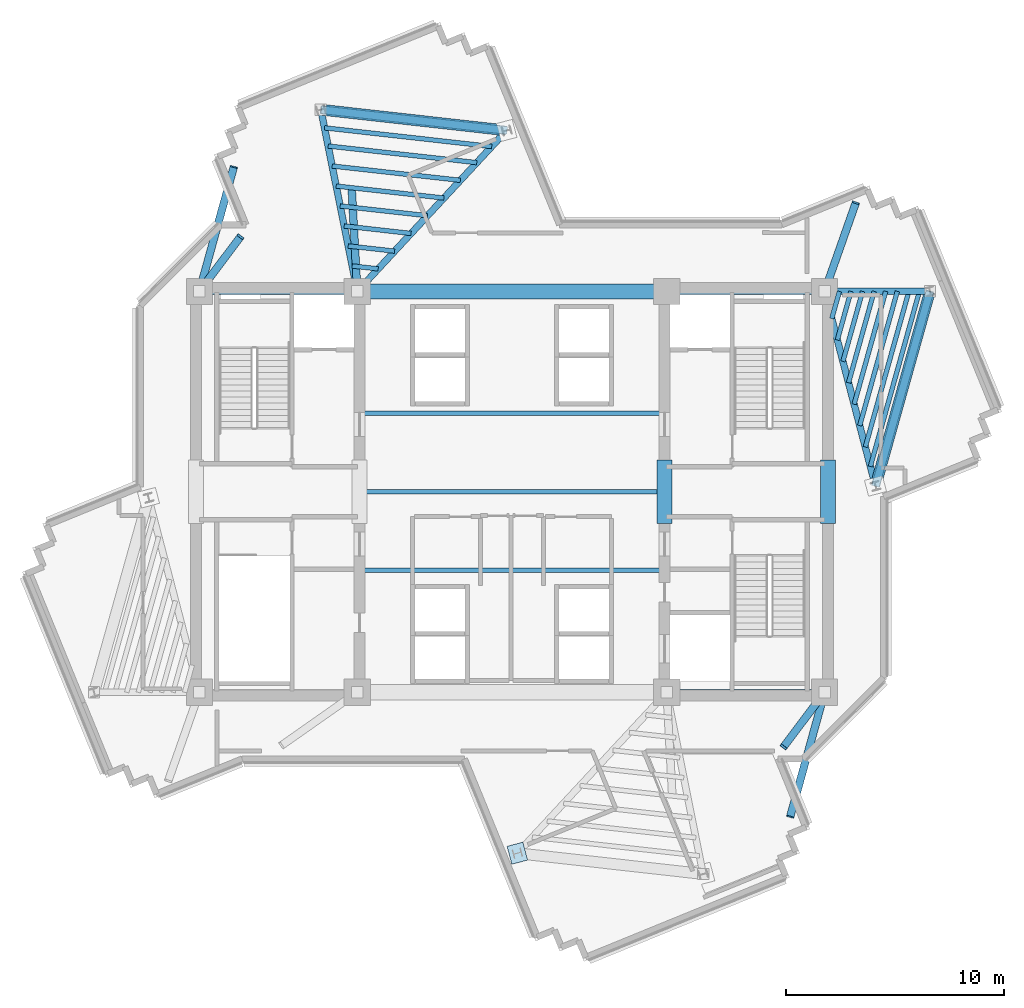
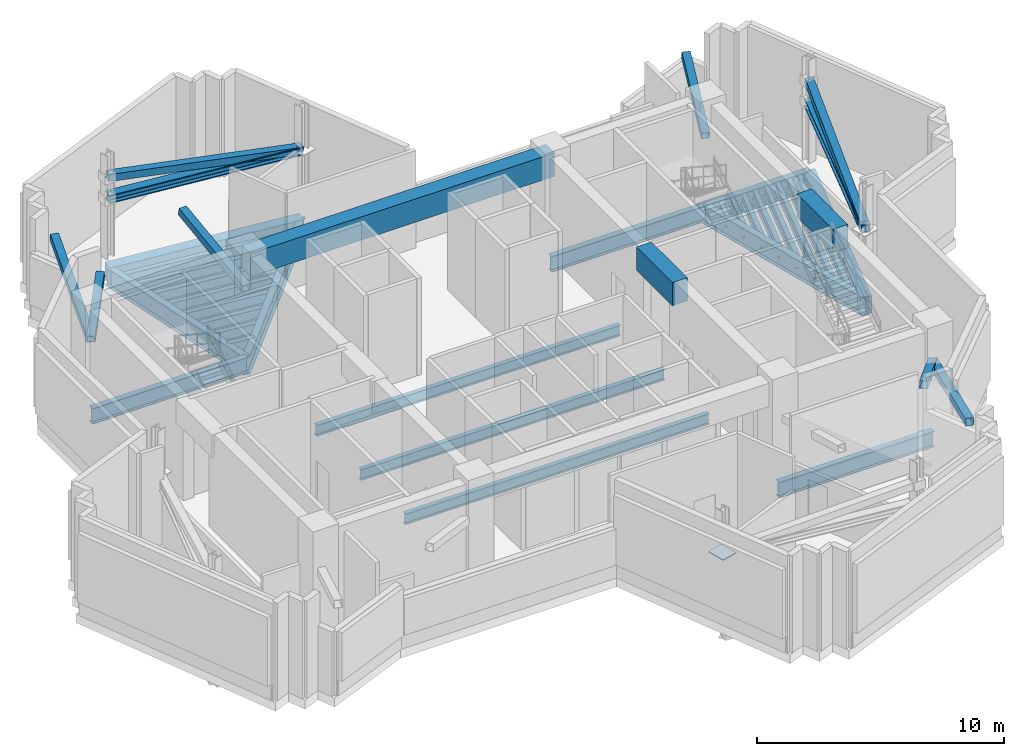
# One storey, part 2 of 11: 31 beams, 10 members, 1 plate.
"""IFC4 building model written with IfcOpenShell, lengths in metres."""

from ifc_helpers import new_model, si_unit, direction, frame, origin, origin_2d, place, context, subcontext, project, spatial, rectangle, hollow_rectangle, i_section, extrude, source, transform, mapped, material, layer, layer_set, material_profile, profile_set, type_object, element, save


model = new_model("IFC4")

# Units and contexts
model_context = context("Model", 3, precision=1e-05, world=origin(), true_north=direction((0.0, 1.0)))
body_context = subcontext(model_context, "Body", "Model", "MODEL_VIEW")
ifc_project = project(units=[si_unit("LENGTHUNIT", "METRE"), si_unit("AREAUNIT", "SQUARE_METRE"), si_unit("VOLUMEUNIT", "CUBIC_METRE"), si_unit("PLANEANGLEUNIT", "RADIAN"), si_unit("MASSUNIT", "GRAM", prefix="KILO")], contexts=[model_context])

# Site, building, storey
site_placement = place(None, origin())
site = spatial("IfcSite", under=ifc_project, at=site_placement, CompositionType="ELEMENT")
building_placement = place(site_placement, origin())
building = spatial("IfcBuilding", under=site, at=building_placement, Name="Zahravan Cultural Tower", CompositionType="ELEMENT")
storey_placement = place(building_placement, frame((0.0, 0.0, 229.199951171875)))
storey = spatial("IfcBuildingStorey", under=building, at=storey_placement, Name="L54", CompositionType="ELEMENT", Elevation=229.199951171875)

# Beams
ifc_material_1 = material(Name="Concrete C50/60", Category="concrete")
ifc_material_profile_1 = material_profile(ifc_material_1, rectangle(XDim=0.699951171875, YDim=1.14990234375, at=origin_2d()), Name="RC700X1150")
ifc_profile_set_1 = profile_set([ifc_material_profile_1], Name="Concrete C50/60")
beam_type_1 = type_object("IfcBeamType", Name="BM-LN-RC700X1150", PredefinedType="LINTEL", material=ifc_profile_set_1)
shared_shape_1 = source(origin(), body_context, "Body", "SweptSolid", [
    extrude(rectangle(XDim=0.699951171875, YDim=1.14990234375, at=origin_2d()), origin(), (0.0, 0.0, 1.0), 14.2001953125),
])
beam_1_placement = place(storey_placement, frame((28.89990234375, 36.199951171875, 4.22509765625), z_axis=(1.0, 0.0, 0.0), x_axis=(0.0, 1.0, 0.0)))
element("IfcBeam", 1, at=beam_1_placement, inside=storey, type_object=beam_type_1, Name="L54 Beam LN-L54-N", PredefinedType="LINTEL", context=body_context, shape_type="MappedRepresentation", body=[
    mapped(shared_shape_1, transform((0.0, 0.0, 0.0), x_axis=(1.0, 0.0, 0.0), y_axis=(0.0, 1.0, 0.0), z_axis=(0.0, 0.0, 1.0), scale=1.0)),
])
shared_shape_2 = source(origin(), body_context, "Body", "SweptSolid", [
    extrude(rectangle(XDim=0.699951171875, YDim=1.14990234375, at=origin_2d()), origin(), (0.0, 0.0, 1.0), 2.89990234375),
])
for number, where, z_axis, x_axis, name in (
    (2, (43.0, 25.550048828125, 4.22509765625), (0.0, 1.0, 0.0), (-1.0, 0.0, 0.0), "L54 Beam LN-L54-PEW"),
    (3, (50.5, 25.550048828125, 4.22509765625), (0.0, 1.0, 0.0), (-1.0, 0.0, 0.0), "L54 Beam LN-L54-PEE"),
):
    element("IfcBeam", number, at=place(storey_placement, frame(where, z_axis=z_axis, x_axis=x_axis)), inside=storey, type_object=beam_type_1, Name=name, PredefinedType="LINTEL", context=body_context, shape_type="MappedRepresentation", body=[
        mapped(shared_shape_2, transform((0.0, 0.0, 0.0), x_axis=(1.0, 0.0, 0.0), y_axis=(0.0, 1.0, 0.0), z_axis=(0.0, 0.0, 1.0), scale=1.0)),
    ])
ifc_material_2 = material(Name="Steel ASTM A992 Grade 50", Category="steel")
ifc_material_profile_2 = material_profile(ifc_material_2, i_section(OverallWidth=0.26611328125, OverallDepth=0.780029296875, WebThickness=0.0166015625, FlangeThickness=0.030029296875, FilletRadius=0.01904296875, at=origin_2d()), Name="W30X148")
ifc_profile_set_2 = profile_set([ifc_material_profile_2], Name="Steel ASTM A992 Grade 50")
beam_type_2 = type_object("IfcBeamType", Name="BM-G-W30X148", PredefinedType="BEAM", material=ifc_profile_set_2)
shared_shape_3 = source(origin(), body_context, "Body", "SweptSolid", [
    extrude(i_section(OverallWidth=0.26611328125, OverallDepth=0.780029296875, WebThickness=0.0166015625, FlangeThickness=0.030029296875, FilletRadius=0.01904296875, at=origin_2d()), origin(), (0.0, 0.0, 1.0), 7.25),
])
for number, where, z_axis, x_axis, name in (
    (4, (21.64990234375, 36.199951171875, -0.83984375), (1.0, 0.0, 0.0), (0.0, 1.0, 0.0), "L54 Beam BG-L54-02"),
    (5, (43.10009765625, 17.800048828125, -0.83984375), (1.0, 0.0, 0.0), (0.0, 1.0, 0.0), "L54 Beam BG-L54-04"),
    (6, (43.10009765625, 36.199951171875, -0.83984375), (1.0, 0.0, 0.0), (0.0, 1.0, 0.0), "L54 Beam BG-L54-05"),
):
    element("IfcBeam", number, at=place(storey_placement, frame(where, z_axis=z_axis, x_axis=x_axis)), inside=storey, type_object=beam_type_2, Name=name, PredefinedType="BEAM", context=body_context, shape_type="MappedRepresentation", body=[
        mapped(shared_shape_3, transform((0.0, 0.0, 0.0), x_axis=(1.0, 0.0, 0.0), y_axis=(0.0, 1.0, 0.0), z_axis=(0.0, 0.0, 1.0), scale=1.0)),
    ])
ifc_material_profile_3 = material_profile(ifc_material_2, i_section(OverallWidth=0.304931640625, OverallDepth=0.9189453125, WebThickness=0.017333984375, FlangeThickness=0.02783203125, FilletRadius=0.02392578125, at=origin_2d()), Name="W36X170")
ifc_profile_set_3 = profile_set([ifc_material_profile_3], Name="Steel ASTM A992 Grade 50")
beam_type_3 = type_object("IfcBeamType", Name="BM-G-W36X170", PredefinedType="BEAM", material=ifc_profile_set_3)
shared_shape_4 = source(origin(), body_context, "Body", "SweptSolid", [
    extrude(i_section(OverallWidth=0.304931640625, OverallDepth=0.9189453125, WebThickness=0.017333984375, FlangeThickness=0.02783203125, FilletRadius=0.02392578125, at=origin_2d()), origin(), (0.0, 0.0, 1.0), 9.22900390625),
])
beam_2_placement = place(storey_placement, frame((50.35009765625, 36.199951171875, -0.909423828125), z_axis=(0.252922608408, -0.967486513682, 0.0), x_axis=(0.967486513682, 0.252922608408, 0.0)))
element("IfcBeam", 7, at=beam_2_placement, inside=storey, type_object=beam_type_3, Name="L54 Beam BG-L54-11", PredefinedType="BEAM", context=body_context, shape_type="MappedRepresentation", body=[
    mapped(shared_shape_4, transform((0.0, 0.0, 0.0), x_axis=(1.0, 0.0, 0.0), y_axis=(0.0, 1.0, 0.0), z_axis=(0.0, 0.0, 1.0), scale=1.0)),
])
shared_shape_5 = source(origin(), body_context, "Body", "SweptSolid", [
    extrude(i_section(OverallWidth=0.304931640625, OverallDepth=0.9189453125, WebThickness=0.017333984375, FlangeThickness=0.02783203125, FilletRadius=0.02392578125, at=origin_2d()), origin(), (0.0, 0.0, 1.0), 4.834716796875),
])
beam_3_placement = place(storey_placement, frame((50.35009765625, 36.199951171875, -0.909423828125), z_axis=(0.99999920313, 0.001262433979, 0.0), x_axis=(-0.001262433979, 0.99999920313, 0.0)))
element("IfcBeam", 8, at=beam_3_placement, inside=storey, type_object=beam_type_3, Name="L54 Beam BG-L54-12", PredefinedType="BEAM", context=body_context, shape_type="MappedRepresentation", body=[
    mapped(shared_shape_5, transform((0.0, 0.0, 0.0), x_axis=(1.0, 0.0, 0.0), y_axis=(0.0, 1.0, 0.0), z_axis=(0.0, 0.0, 1.0), scale=1.0)),
])
shared_shape_6 = source(origin(), body_context, "Body", "SweptSolid", [
    extrude(i_section(OverallWidth=0.304931640625, OverallDepth=0.9189453125, WebThickness=0.017333984375, FlangeThickness=0.02783203125, FilletRadius=0.02392578125, at=origin_2d()), origin(), (0.0, 0.0, 1.0), 10.077880859375),
])
beam_4_placement = place(storey_placement, frame((28.89990234375, 36.199951171875, -0.909423828125), z_axis=(0.680170435587, 0.733054007938, 0.0), x_axis=(-0.733054007938, 0.680170435587, 0.0)))
element("IfcBeam", 9, at=beam_4_placement, inside=storey, type_object=beam_type_3, Name="L54 Beam BG-L54-13", PredefinedType="BEAM", context=body_context, shape_type="MappedRepresentation", body=[
    mapped(shared_shape_6, transform((0.0, 0.0, 0.0), x_axis=(1.0, 0.0, 0.0), y_axis=(0.0, 1.0, 0.0), z_axis=(0.0, 0.0, 1.0), scale=1.0)),
])
shared_shape_7 = source(origin(), body_context, "Body", "SweptSolid", [
    extrude(i_section(OverallWidth=0.304931640625, OverallDepth=0.9189453125, WebThickness=0.017333984375, FlangeThickness=0.02783203125, FilletRadius=0.02392578125, at=origin_2d()), origin(), (0.0, 0.0, 1.0), 8.50732421875),
])
beam_5_placement = place(storey_placement, frame((28.89990234375, 36.199951171875, -0.909423828125), z_axis=(-0.196524514012, 0.980498911469, 0.0), x_axis=(-0.980498911469, -0.196524514012, 0.0)))
element("IfcBeam", 10, at=beam_5_placement, inside=storey, type_object=beam_type_3, Name="L54 Beam BG-L54-14", PredefinedType="BEAM", context=body_context, shape_type="MappedRepresentation", body=[
    mapped(shared_shape_7, transform((0.0, 0.0, 0.0), x_axis=(1.0, 0.0, 0.0), y_axis=(0.0, 1.0, 0.0), z_axis=(0.0, 0.0, 1.0), scale=1.0)),
])
ifc_material_profile_4 = material_profile(ifc_material_1, rectangle(XDim=0.5, YDim=0.85009765625, at=origin_2d()), Name="RC500X850")
ifc_profile_set_4 = profile_set([ifc_material_profile_4], Name="Concrete C50/60")
beam_type_4 = type_object("IfcBeamType", Name="BM-SP-RC500X850", PredefinedType="SPANDREL", material=ifc_profile_set_4)
shared_shape_8 = source(origin(), body_context, "Body", "SweptSolid", [
    extrude(rectangle(XDim=0.5, YDim=0.85009765625, at=origin_2d()), origin(), (0.0, 0.0, 1.0), 9.2783203125),
])
beam_6_placement = place(storey_placement, frame((52.684326171875, 27.27099609375, -0.875), z_axis=(0.269497187032, 0.963001176625, 0.0), x_axis=(-0.963001176625, 0.269497187032, 0.0)))
element("IfcBeam", 11, at=beam_6_placement, inside=storey, type_object=beam_type_4, Name="L54 Beam SP-L54-17", PredefinedType="SPANDREL", context=body_context, shape_type="MappedRepresentation", body=[
    mapped(shared_shape_8, transform((0.0, 0.0, 0.0), x_axis=(1.0, 0.0, 0.0), y_axis=(0.0, 1.0, 0.0), z_axis=(0.0, 0.0, 1.0), scale=1.0)),
])
shared_shape_9 = source(origin(), body_context, "Body", "SweptSolid", [
    extrude(rectangle(XDim=0.5, YDim=0.85009765625, at=origin_2d()), origin(), (0.0, 0.0, 1.0), 8.579833984375),
])
beam_7_placement = place(storey_placement, frame((35.754638671875, 43.587646484375, -0.875), z_axis=(-0.9938040105, 0.11114669907, 0.0), x_axis=(-0.11114669907, -0.9938040105, 0.0)))
element("IfcBeam", 12, at=beam_7_placement, inside=storey, type_object=beam_type_4, Name="L54 Beam SP-L54-18", PredefinedType="SPANDREL", context=body_context, shape_type="MappedRepresentation", body=[
    mapped(shared_shape_9, transform((0.0, 0.0, 0.0), x_axis=(1.0, 0.0, 0.0), y_axis=(0.0, 1.0, 0.0), z_axis=(0.0, 0.0, 1.0), scale=1.0)),
])
ifc_material_profile_5 = material_profile(ifc_material_2, i_section(OverallWidth=0.2099609375, OverallDepth=0.532958984375, WebThickness=0.01025390625, FlangeThickness=0.015625, FilletRadius=0.013916015625, at=origin_2d()), Name="W21X62")
ifc_profile_set_5 = profile_set([ifc_material_profile_5], Name="Steel ASTM A992 Grade 50")
beam_type_5 = type_object("IfcBeamType", Name="BM-J-W21X62", PredefinedType="JOIST", material=ifc_profile_set_5)
shared_shape_10 = source(origin(), body_context, "Body", "SweptSolid", [
    extrude(i_section(OverallWidth=0.2099609375, OverallDepth=0.532958984375, WebThickness=0.01025390625, FlangeThickness=0.015625, FilletRadius=0.013916015625, at=origin_2d()), origin(), (0.0, 0.0, 1.0), 14.2001953125),
])
for number, where, z_axis, x_axis, name in (
    (13, (28.89990234375, 23.39990234375, -0.716552734375), (1.0, 0.0, 0.0), (0.0, 1.0, 0.0), "L54 Beam BJ-L54-19"),
    (14, (28.89990234375, 27.0, -0.716552734375), (1.0, 0.0, 0.0), (0.0, 1.0, 0.0), "L54 Beam BJ-L54-20"),
    (15, (28.89990234375, 30.60009765625, -0.716552734375), (1.0, 0.0, 0.0), (0.0, 1.0, 0.0), "L54 Beam BJ-L54-21"),
):
    element("IfcBeam", number, at=place(storey_placement, frame(where, z_axis=z_axis, x_axis=x_axis)), inside=storey, type_object=beam_type_5, Name=name, PredefinedType="JOIST", context=body_context, shape_type="MappedRepresentation", body=[
        mapped(shared_shape_10, transform((0.0, 0.0, 0.0), x_axis=(1.0, 0.0, 0.0), y_axis=(0.0, 1.0, 0.0), z_axis=(0.0, 0.0, 1.0), scale=1.0)),
    ])
shared_shape_11 = source(origin(), body_context, "Body", "SweptSolid", [
    extrude(i_section(OverallWidth=0.2099609375, OverallDepth=0.532958984375, WebThickness=0.01025390625, FlangeThickness=0.015625, FilletRadius=0.013916015625, at=origin_2d()), origin(), (0.0, 0.0, 1.0), 1.299072265625),
])
beam_8_placement = place(storey_placement, frame((50.6767578125, 34.949951171875, -0.716552734375), z_axis=(0.269504444708, 0.962999145525, 0.0), x_axis=(-0.962999145525, 0.269504444708, 0.0)))
element("IfcBeam", 16, at=beam_8_placement, inside=storey, type_object=beam_type_5, Name="L54 Beam BJ-L54-38", PredefinedType="JOIST", context=body_context, shape_type="MappedRepresentation", body=[
    mapped(shared_shape_11, transform((0.0, 0.0, 0.0), x_axis=(1.0, 0.0, 0.0), y_axis=(0.0, 1.0, 0.0), z_axis=(0.0, 0.0, 1.0), scale=1.0)),
])
shared_shape_12 = source(origin(), body_context, "Body", "SweptSolid", [
    extrude(i_section(OverallWidth=0.2099609375, OverallDepth=0.532958984375, WebThickness=0.01025390625, FlangeThickness=0.015625, FilletRadius=0.013916015625, at=origin_2d()), origin(), (0.0, 0.0, 1.0), 2.3193359375),
])
beam_9_placement = place(storey_placement, frame((50.93359375, 33.9677734375, -0.716552734375), z_axis=(0.269462038626, 0.963011012263, 0.0), x_axis=(-0.963011012263, 0.269462038626, 0.0)))
element("IfcBeam", 17, at=beam_9_placement, inside=storey, type_object=beam_type_5, Name="L54 Beam BJ-L54-39", PredefinedType="JOIST", context=body_context, shape_type="MappedRepresentation", body=[
    mapped(shared_shape_12, transform((0.0, 0.0, 0.0), x_axis=(1.0, 0.0, 0.0), y_axis=(0.0, 1.0, 0.0), z_axis=(0.0, 0.0, 1.0), scale=1.0)),
])
shared_shape_13 = source(origin(), body_context, "Body", "SweptSolid", [
    extrude(i_section(OverallWidth=0.2099609375, OverallDepth=0.532958984375, WebThickness=0.01025390625, FlangeThickness=0.015625, FilletRadius=0.013916015625, at=origin_2d()), origin(), (0.0, 0.0, 1.0), 3.340087890625),
])
beam_10_placement = place(storey_placement, frame((51.190185546875, 32.985595703125, -0.716552734375), z_axis=(0.269562146951, 0.962982995141, 0.0), x_axis=(-0.962982995141, 0.269562146951, 0.0)))
element("IfcBeam", 18, at=beam_10_placement, inside=storey, type_object=beam_type_5, Name="L54 Beam BJ-L54-40", PredefinedType="JOIST", context=body_context, shape_type="MappedRepresentation", body=[
    mapped(shared_shape_13, transform((0.0, 0.0, 0.0), x_axis=(1.0, 0.0, 0.0), y_axis=(0.0, 1.0, 0.0), z_axis=(0.0, 0.0, 1.0), scale=1.0)),
])
shared_shape_14 = source(origin(), body_context, "Body", "SweptSolid", [
    extrude(i_section(OverallWidth=0.2099609375, OverallDepth=0.532958984375, WebThickness=0.01025390625, FlangeThickness=0.015625, FilletRadius=0.013916015625, at=origin_2d()), origin(), (0.0, 0.0, 1.0), 4.36083984375),
])
beam_11_placement = place(storey_placement, frame((51.447021484375, 32.00341796875, -0.716552734375), z_axis=(0.269511557673, 0.962997154866, 0.0), x_axis=(-0.962997154866, 0.269511557673, 0.0)))
element("IfcBeam", 19, at=beam_11_placement, inside=storey, type_object=beam_type_5, Name="L54 Beam BJ-L54-41", PredefinedType="JOIST", context=body_context, shape_type="MappedRepresentation", body=[
    mapped(shared_shape_14, transform((0.0, 0.0, 0.0), x_axis=(1.0, 0.0, 0.0), y_axis=(0.0, 1.0, 0.0), z_axis=(0.0, 0.0, 1.0), scale=1.0)),
])
shared_shape_15 = source(origin(), body_context, "Body", "SweptSolid", [
    extrude(i_section(OverallWidth=0.2099609375, OverallDepth=0.532958984375, WebThickness=0.01025390625, FlangeThickness=0.015625, FilletRadius=0.013916015625, at=origin_2d()), origin(), (0.0, 0.0, 1.0), 5.3818359375),
])
beam_12_placement = place(storey_placement, frame((51.703857421875, 31.02099609375, -0.716552734375), z_axis=(0.269510454638, 0.962997463569, 0.0), x_axis=(-0.962997463569, 0.269510454638, 0.0)))
element("IfcBeam", 20, at=beam_12_placement, inside=storey, type_object=beam_type_5, Name="L54 Beam BJ-L54-42", PredefinedType="JOIST", context=body_context, shape_type="MappedRepresentation", body=[
    mapped(shared_shape_15, transform((0.0, 0.0, 0.0), x_axis=(1.0, 0.0, 0.0), y_axis=(0.0, 1.0, 0.0), z_axis=(0.0, 0.0, 1.0), scale=1.0)),
])
shared_shape_16 = source(origin(), body_context, "Body", "SweptSolid", [
    extrude(i_section(OverallWidth=0.2099609375, OverallDepth=0.532958984375, WebThickness=0.01025390625, FlangeThickness=0.015625, FilletRadius=0.013916015625, at=origin_2d()), origin(), (0.0, 0.0, 1.0), 6.402099609375),
])
beam_13_placement = place(storey_placement, frame((51.960693359375, 30.038818359375, -0.716552734375), z_axis=(0.269494133533, 0.963002031146, 0.0), x_axis=(-0.963002031146, 0.269494133533, 0.0)))
element("IfcBeam", 21, at=beam_13_placement, inside=storey, type_object=beam_type_5, Name="L54 Beam BJ-L54-43", PredefinedType="JOIST", context=body_context, shape_type="MappedRepresentation", body=[
    mapped(shared_shape_16, transform((0.0, 0.0, 0.0), x_axis=(1.0, 0.0, 0.0), y_axis=(0.0, 1.0, 0.0), z_axis=(0.0, 0.0, 1.0), scale=1.0)),
])
shared_shape_17 = source(origin(), body_context, "Body", "SweptSolid", [
    extrude(i_section(OverallWidth=0.2099609375, OverallDepth=0.532958984375, WebThickness=0.01025390625, FlangeThickness=0.015625, FilletRadius=0.013916015625, at=origin_2d()), origin(), (0.0, 0.0, 1.0), 7.4228515625),
])
beam_14_placement = place(storey_placement, frame((52.21728515625, 29.056640625, -0.716552734375), z_axis=(0.269504266128, 0.962999195503, 0.0), x_axis=(-0.962999195503, 0.269504266128, 0.0)))
element("IfcBeam", 22, at=beam_14_placement, inside=storey, type_object=beam_type_5, Name="L54 Beam BJ-L54-44", PredefinedType="JOIST", context=body_context, shape_type="MappedRepresentation", body=[
    mapped(shared_shape_17, transform((0.0, 0.0, 0.0), x_axis=(1.0, 0.0, 0.0), y_axis=(0.0, 1.0, 0.0), z_axis=(0.0, 0.0, 1.0), scale=1.0)),
])
shared_shape_18 = source(origin(), body_context, "Body", "SweptSolid", [
    extrude(i_section(OverallWidth=0.2099609375, OverallDepth=0.532958984375, WebThickness=0.01025390625, FlangeThickness=0.015625, FilletRadius=0.013916015625, at=origin_2d()), origin(), (0.0, 0.0, 1.0), 8.350830078125),
])
beam_15_placement = place(storey_placement, frame((52.450927734375, 28.163818359375, -0.716552734375), z_axis=(0.269496539555, 0.963001357822, 0.0), x_axis=(-0.963001357822, 0.269496539555, 0.0)))
element("IfcBeam", 23, at=beam_15_placement, inside=storey, type_object=beam_type_5, Name="L54 Beam BJ-L54-45", PredefinedType="JOIST", context=body_context, shape_type="MappedRepresentation", body=[
    mapped(shared_shape_18, transform((0.0, 0.0, 0.0), x_axis=(1.0, 0.0, 0.0), y_axis=(0.0, 1.0, 0.0), z_axis=(0.0, 0.0, 1.0), scale=1.0)),
])
shared_shape_19 = source(origin(), body_context, "Body", "SweptSolid", [
    extrude(i_section(OverallWidth=0.2099609375, OverallDepth=0.532958984375, WebThickness=0.01025390625, FlangeThickness=0.015625, FilletRadius=0.013916015625, at=origin_2d()), origin(), (0.0, 0.0, 1.0), 1.201171875),
])
beam_16_placement = place(storey_placement, frame((29.859619140625, 37.234375, -0.716552734375), z_axis=(-0.99379916149, 0.111190047317, 0.0), x_axis=(-0.111190047317, -0.99379916149, 0.0)))
element("IfcBeam", 24, at=beam_16_placement, inside=storey, type_object=beam_type_5, Name="L54 Beam BJ-L54-46", PredefinedType="JOIST", context=body_context, shape_type="MappedRepresentation", body=[
    mapped(shared_shape_19, transform((0.0, 0.0, 0.0), x_axis=(1.0, 0.0, 0.0), y_axis=(0.0, 1.0, 0.0), z_axis=(0.0, 0.0, 1.0), scale=1.0)),
])
shared_shape_20 = source(origin(), body_context, "Body", "SweptSolid", [
    extrude(i_section(OverallWidth=0.2099609375, OverallDepth=0.532958984375, WebThickness=0.01025390625, FlangeThickness=0.015625, FilletRadius=0.013916015625, at=origin_2d()), origin(), (0.0, 0.0, 1.0), 2.144775390625),
])
beam_17_placement = place(storey_placement, frame((30.613525390625, 38.046875, -0.716552734375), z_axis=(-0.993797370806, 0.111206051, 0.0), x_axis=(-0.111206051, -0.993797370806, 0.0)))
element("IfcBeam", 25, at=beam_17_placement, inside=storey, type_object=beam_type_5, Name="L54 Beam BJ-L54-47", PredefinedType="JOIST", context=body_context, shape_type="MappedRepresentation", body=[
    mapped(shared_shape_20, transform((0.0, 0.0, 0.0), x_axis=(1.0, 0.0, 0.0), y_axis=(0.0, 1.0, 0.0), z_axis=(0.0, 0.0, 1.0), scale=1.0)),
])
shared_shape_21 = source(origin(), body_context, "Body", "SweptSolid", [
    extrude(i_section(OverallWidth=0.2099609375, OverallDepth=0.532958984375, WebThickness=0.01025390625, FlangeThickness=0.015625, FilletRadius=0.013916015625, at=origin_2d()), origin(), (0.0, 0.0, 1.0), 3.088623046875),
])
beam_18_placement = place(storey_placement, frame((31.36767578125, 38.859619140625, -0.716552734375), z_axis=(-0.993805407368, 0.111134208443, 0.0), x_axis=(-0.111134208443, -0.993805407368, 0.0)))
element("IfcBeam", 26, at=beam_18_placement, inside=storey, type_object=beam_type_5, Name="L54 Beam BJ-L54-48", PredefinedType="JOIST", context=body_context, shape_type="MappedRepresentation", body=[
    mapped(shared_shape_21, transform((0.0, 0.0, 0.0), x_axis=(1.0, 0.0, 0.0), y_axis=(0.0, 1.0, 0.0), z_axis=(0.0, 0.0, 1.0), scale=1.0)),
])
shared_shape_22 = source(origin(), body_context, "Body", "SweptSolid", [
    extrude(i_section(OverallWidth=0.2099609375, OverallDepth=0.532958984375, WebThickness=0.01025390625, FlangeThickness=0.015625, FilletRadius=0.013916015625, at=origin_2d()), origin(), (0.0, 0.0, 1.0), 4.0322265625),
])
beam_19_placement = place(storey_placement, frame((32.12158203125, 39.672119140625, -0.716552734375), z_axis=(-0.993802245601, 0.11116247855, 0.0), x_axis=(-0.11116247855, -0.993802245601, 0.0)))
element("IfcBeam", 27, at=beam_19_placement, inside=storey, type_object=beam_type_5, Name="L54 Beam BJ-L54-49", PredefinedType="JOIST", context=body_context, shape_type="MappedRepresentation", body=[
    mapped(shared_shape_22, transform((0.0, 0.0, 0.0), x_axis=(1.0, 0.0, 0.0), y_axis=(0.0, 1.0, 0.0), z_axis=(0.0, 0.0, 1.0), scale=1.0)),
])
shared_shape_23 = source(origin(), body_context, "Body", "SweptSolid", [
    extrude(i_section(OverallWidth=0.2099609375, OverallDepth=0.532958984375, WebThickness=0.01025390625, FlangeThickness=0.015625, FilletRadius=0.013916015625, at=origin_2d()), origin(), (0.0, 0.0, 1.0), 4.97607421875),
])
beam_20_placement = place(storey_placement, frame((32.875732421875, 40.48486328125, -0.716552734375), z_axis=(-0.993806308517, 0.111126149723, 0.0), x_axis=(-0.111126149723, -0.993806308517, 0.0)))
element("IfcBeam", 28, at=beam_20_placement, inside=storey, type_object=beam_type_5, Name="L54 Beam BJ-L54-50", PredefinedType="JOIST", context=body_context, shape_type="MappedRepresentation", body=[
    mapped(shared_shape_23, transform((0.0, 0.0, 0.0), x_axis=(1.0, 0.0, 0.0), y_axis=(0.0, 1.0, 0.0), z_axis=(0.0, 0.0, 1.0), scale=1.0)),
])
shared_shape_24 = source(origin(), body_context, "Body", "SweptSolid", [
    extrude(i_section(OverallWidth=0.2099609375, OverallDepth=0.532958984375, WebThickness=0.01025390625, FlangeThickness=0.015625, FilletRadius=0.013916015625, at=origin_2d()), origin(), (0.0, 0.0, 1.0), 5.919921875),
])
beam_21_placement = place(storey_placement, frame((33.629638671875, 41.29736328125, -0.716552734375), z_axis=(-0.993804520866, 0.111142135602, 0.0), x_axis=(-0.111142135602, -0.993804520866, 0.0)))
element("IfcBeam", 29, at=beam_21_placement, inside=storey, type_object=beam_type_5, Name="L54 Beam BJ-L54-51", PredefinedType="JOIST", context=body_context, shape_type="MappedRepresentation", body=[
    mapped(shared_shape_24, transform((0.0, 0.0, 0.0), x_axis=(1.0, 0.0, 0.0), y_axis=(0.0, 1.0, 0.0), z_axis=(0.0, 0.0, 1.0), scale=1.0)),
])
shared_shape_25 = source(origin(), body_context, "Body", "SweptSolid", [
    extrude(i_section(OverallWidth=0.2099609375, OverallDepth=0.532958984375, WebThickness=0.01025390625, FlangeThickness=0.015625, FilletRadius=0.013916015625, at=origin_2d()), origin(), (0.0, 0.0, 1.0), 6.86376953125),
])
beam_22_placement = place(storey_placement, frame((34.3837890625, 42.110107421875, -0.716552734375), z_axis=(-0.993803224695, 0.111153725024, 0.0), x_axis=(-0.111153725024, -0.993803224695, 0.0)))
element("IfcBeam", 30, at=beam_22_placement, inside=storey, type_object=beam_type_5, Name="L54 Beam BJ-L54-52", PredefinedType="JOIST", context=body_context, shape_type="MappedRepresentation", body=[
    mapped(shared_shape_25, transform((0.0, 0.0, 0.0), x_axis=(1.0, 0.0, 0.0), y_axis=(0.0, 1.0, 0.0), z_axis=(0.0, 0.0, 1.0), scale=1.0)),
])
shared_shape_26 = source(origin(), body_context, "Body", "SweptSolid", [
    extrude(i_section(OverallWidth=0.2099609375, OverallDepth=0.532958984375, WebThickness=0.01025390625, FlangeThickness=0.015625, FilletRadius=0.013916015625, at=origin_2d()), origin(), (0.0, 0.0, 1.0), 7.7216796875),
])
beam_23_placement = place(storey_placement, frame((35.069091796875, 42.848876953125, -0.716552734375), z_axis=(-0.993805212115, 0.11113595446, 0.0), x_axis=(-0.11113595446, -0.993805212115, 0.0)))
element("IfcBeam", 31, at=beam_23_placement, inside=storey, type_object=beam_type_5, Name="L54 Beam BJ-L54-53", PredefinedType="JOIST", context=body_context, shape_type="MappedRepresentation", body=[
    mapped(shared_shape_26, transform((0.0, 0.0, 0.0), x_axis=(1.0, 0.0, 0.0), y_axis=(0.0, 1.0, 0.0), z_axis=(0.0, 0.0, 1.0), scale=1.0)),
])

# Members
ifc_material_3 = material(Name="Steel ASTM A572 Grade 50", Category="steel")
ifc_material_profile_6 = material_profile(ifc_material_3, hollow_rectangle(XDim=0.35009765625, YDim=0.35009765625, WallThickness=0.01611328125, at=origin_2d()), Name="HSS350X350X16")
ifc_profile_set_6 = profile_set([ifc_material_profile_6], Name="Steel ASTM A572 Grade 50")
member_type_1 = type_object("IfcMemberType", Name="MB-BR-HSS350", PredefinedType="BRACE", material=ifc_profile_set_6)
shared_shape_27 = source(origin(), body_context, "Body", "SweptSolid", [
    extrude(hollow_rectangle(XDim=0.35009765625, YDim=0.35009765625, WallThickness=0.01611328125, at=origin_2d()), origin(), (0.0, 0.0, 1.0), 9.337646484375),
])
member_1_placement = place(storey_placement, frame((52.684326171875, 27.27099609375, 2.900146484375), z_axis=(0.267788531599, 0.956895594558, 0.11242830364), x_axis=(-0.963001176625, 0.269497187032, 0.0)))
element("IfcMember", 32, at=member_1_placement, inside=storey, type_object=member_type_1, Name="L54 Belt Truss Diagonal 03", PredefinedType="BRACE", context=body_context, shape_type="MappedRepresentation", body=[
    mapped(shared_shape_27, transform((0.0, 0.0, 0.0), x_axis=(1.0, 0.0, 0.0), y_axis=(0.0, 1.0, 0.0), z_axis=(0.0, 0.0, 1.0), scale=1.0)),
])
ifc_material_profile_7 = material_profile(ifc_material_2, i_section(OverallWidth=0.404052734375, OverallDepth=0.406982421875, WebThickness=0.027099609375, FlangeThickness=0.043701171875, FilletRadius=0.01806640625, at=origin_2d()), Name="W14X233")
ifc_profile_set_7 = profile_set([ifc_material_profile_7], Name="Steel ASTM A992 Grade 50")
member_type_2 = type_object("IfcMemberType", Name="MB-CH-W14X233", PredefinedType="CHORD", material=ifc_profile_set_7)
shared_shape_28 = source(origin(), body_context, "Body", "SweptSolid", [
    extrude(i_section(OverallWidth=0.404052734375, OverallDepth=0.406982421875, WebThickness=0.027099609375, FlangeThickness=0.043701171875, FilletRadius=0.01806640625, at=origin_2d()), origin(), (0.0, 0.0, 1.0), 9.2783203125),
])
member_2_placement = place(storey_placement, frame((52.684326171875, 27.27099609375, 2.900146484375), z_axis=(0.269497187032, 0.963001176625, 0.0), x_axis=(-0.963001176625, 0.269497187032, 0.0)))
element("IfcMember", 33, at=member_2_placement, inside=storey, type_object=member_type_2, Name="L54 Belt Truss Bottom Chord 03", PredefinedType="CHORD", context=body_context, shape_type="MappedRepresentation", body=[
    mapped(shared_shape_28, transform((0.0, 0.0, 0.0), x_axis=(1.0, 0.0, 0.0), y_axis=(0.0, 1.0, 0.0), z_axis=(0.0, 0.0, 1.0), scale=1.0)),
])
shared_shape_29 = source(origin(), body_context, "Body", "SweptSolid", [
    extrude(hollow_rectangle(XDim=0.35009765625, YDim=0.35009765625, WallThickness=0.01611328125, at=origin_2d()), origin(), (0.0, 0.0, 1.0), 8.643798828125),
])
member_3_placement = place(storey_placement, frame((35.754638671875, 43.587646484375, 2.900146484375), z_axis=(-0.986447142983, 0.110323909534, 0.121452332565), x_axis=(-0.11114669907, -0.9938040105, 0.0)))
element("IfcMember", 34, at=member_3_placement, inside=storey, type_object=member_type_1, Name="L54 Belt Truss Diagonal 04", PredefinedType="BRACE", context=body_context, shape_type="MappedRepresentation", body=[
    mapped(shared_shape_29, transform((0.0, 0.0, 0.0), x_axis=(1.0, 0.0, 0.0), y_axis=(0.0, 1.0, 0.0), z_axis=(0.0, 0.0, 1.0), scale=1.0)),
])
shared_shape_30 = source(origin(), body_context, "Body", "SweptSolid", [
    extrude(i_section(OverallWidth=0.404052734375, OverallDepth=0.406982421875, WebThickness=0.027099609375, FlangeThickness=0.043701171875, FilletRadius=0.01806640625, at=origin_2d()), origin(), (0.0, 0.0, 1.0), 8.579833984375),
])
member_4_placement = place(storey_placement, frame((35.754638671875, 43.587646484375, 2.900146484375), z_axis=(-0.9938040105, 0.11114669907, 0.0), x_axis=(-0.11114669907, -0.9938040105, 0.0)))
element("IfcMember", 35, at=member_4_placement, inside=storey, type_object=member_type_2, Name="L54 Belt Truss Bottom Chord 04", PredefinedType="CHORD", context=body_context, shape_type="MappedRepresentation", body=[
    mapped(shared_shape_30, transform((0.0, 0.0, 0.0), x_axis=(1.0, 0.0, 0.0), y_axis=(0.0, 1.0, 0.0), z_axis=(0.0, 0.0, 1.0), scale=1.0)),
])
shared_shape_31 = source(origin(), body_context, "Body", "SweptSolid", [
    extrude(hollow_rectangle(XDim=0.35009765625, YDim=0.35009765625, WallThickness=0.01611328125, at=origin_2d()), origin(), (0.0, 0.0, 1.0), 4.859130859375),
])
member_5_placement = place(storey_placement, frame((28.89990234375, 36.199951171875, 2.900146484375), z_axis=(-0.052957728172, 0.974944741416, 0.216051452695), x_axis=(-0.998527996152, -0.054238739845, 0.0)))
element("IfcMember", 36, at=member_5_placement, inside=storey, type_object=member_type_1, Name="L54 Outrigger Diagonal 05", PredefinedType="BRACE", context=body_context, shape_type="MappedRepresentation", body=[
    mapped(shared_shape_31, transform((0.0, 0.0, 0.0), x_axis=(1.0, 0.0, 0.0), y_axis=(0.0, 1.0, 0.0), z_axis=(0.0, 0.0, 1.0), scale=1.0)),
])
shared_shape_32 = source(origin(), body_context, "Body", "SweptSolid", [
    extrude(hollow_rectangle(XDim=0.35009765625, YDim=0.35009765625, WallThickness=0.01611328125, at=origin_2d()), origin(), (0.0, 0.0, 1.0), 3.311279296875),
])
for number, where, z_axis, x_axis, name in (
    (37, (21.64990234375, 36.199951171875, 2.900146484375), (0.569708284233, 0.758234760587, 0.317037093594), (-0.799477284534, 0.600696322208, 0.0), "L54 Outrigger Diagonal 06"),
    (38, (50.35009765625, 17.800048828125, 2.900146484375), (-0.569708284233, -0.758234760587, 0.317037093594), (0.799477284534, -0.600696322208, 0.0), "L54 Outrigger Diagonal 09"),
):
    element("IfcMember", number, at=place(storey_placement, frame(where, z_axis=z_axis, x_axis=x_axis)), inside=storey, type_object=member_type_1, Name=name, PredefinedType="BRACE", context=body_context, shape_type="MappedRepresentation", body=[
        mapped(shared_shape_32, transform((0.0, 0.0, 0.0), x_axis=(1.0, 0.0, 0.0), y_axis=(0.0, 1.0, 0.0), z_axis=(0.0, 0.0, 1.0), scale=1.0)),
    ])
shared_shape_33 = source(origin(), body_context, "Body", "SweptSolid", [
    extrude(hollow_rectangle(XDim=0.35009765625, YDim=0.35009765625, WallThickness=0.01611328125, at=origin_2d()), origin(), (0.0, 0.0, 1.0), 4.437744140625),
])
member_6_placement = place(storey_placement, frame((50.35009765625, 36.199951171875, 2.900146484375), z_axis=(0.322279423656, 0.916609333822, 0.236565640444), x_axis=(-0.94338689031, 0.331694400302, 0.0)))
element("IfcMember", 39, at=member_6_placement, inside=storey, type_object=member_type_1, Name="L54 Outrigger Diagonal 10", PredefinedType="BRACE", context=body_context, shape_type="MappedRepresentation", body=[
    mapped(shared_shape_33, transform((0.0, 0.0, 0.0), x_axis=(1.0, 0.0, 0.0), y_axis=(0.0, 1.0, 0.0), z_axis=(0.0, 0.0, 1.0), scale=1.0)),
])
shared_shape_34 = source(origin(), body_context, "Body", "SweptSolid", [
    extrude(hollow_rectangle(XDim=0.35009765625, YDim=0.35009765625, WallThickness=0.01611328125, at=origin_2d()), origin(), (0.0, 0.0, 1.0), 6.021728515625),
])
for number, where, z_axis, x_axis, name in (
    (40, (21.64990234375, 36.199951171875, 2.900146484375), (0.26280479461, 0.948967760357, 0.174338262391), (-0.963726437478, 0.266892026307, 0.0), "L54 Outrigger Diagonal 11"),
    (41, (50.35009765625, 17.800048828125, 2.900146484375), (-0.26280479461, -0.948967760357, 0.174338262391), (0.963726437478, -0.266892026307, 0.0), "L54 Outrigger Diagonal 13"),
):
    element("IfcMember", number, at=place(storey_placement, frame(where, z_axis=z_axis, x_axis=x_axis)), inside=storey, type_object=member_type_1, Name=name, PredefinedType="BRACE", context=body_context, shape_type="MappedRepresentation", body=[
        mapped(shared_shape_34, transform((0.0, 0.0, 0.0), x_axis=(1.0, 0.0, 0.0), y_axis=(0.0, 1.0, 0.0), z_axis=(0.0, 0.0, 1.0), scale=1.0)),
    ])

# Plate
ifc_layer = layer(ifc_material_3, 0.044921875)
ifc_layer_set = layer_set([ifc_layer], Name="Steel ASTM A572 Grade 50")
plate_type = type_object("IfcPlateType", Name="PL-NODE-45", PredefinedType="SHEET", material=ifc_layer_set)
shared_shape_35 = source(origin(), body_context, "Body", "SweptSolid", [
    extrude(rectangle(XDim=0.85009765625, YDim=0.75, at=origin_2d()), origin(), (0.0, 0.0, 1.0), 0.044921875),
])
plate_placement = place(storey_placement, frame((36.245361328125, 10.412353515625, 2.877685546875), z_axis=(0.0, 0.0, 1.0), x_axis=(-0.255445757936, 0.966823388604, 0.0)))
element("IfcPlate", 42, at=plate_placement, inside=storey, type_object=plate_type, Name="L54 Belt Node Cap Plate BN2", PredefinedType="SHEET", context=body_context, shape_type="MappedRepresentation", body=[
    mapped(shared_shape_35, transform((0.0, 0.0, 0.0), x_axis=(1.0, 0.0, 0.0), y_axis=(0.0, 1.0, 0.0), z_axis=(0.0, 0.0, 1.0), scale=1.0)),
])

save(model, "model.ifc")
